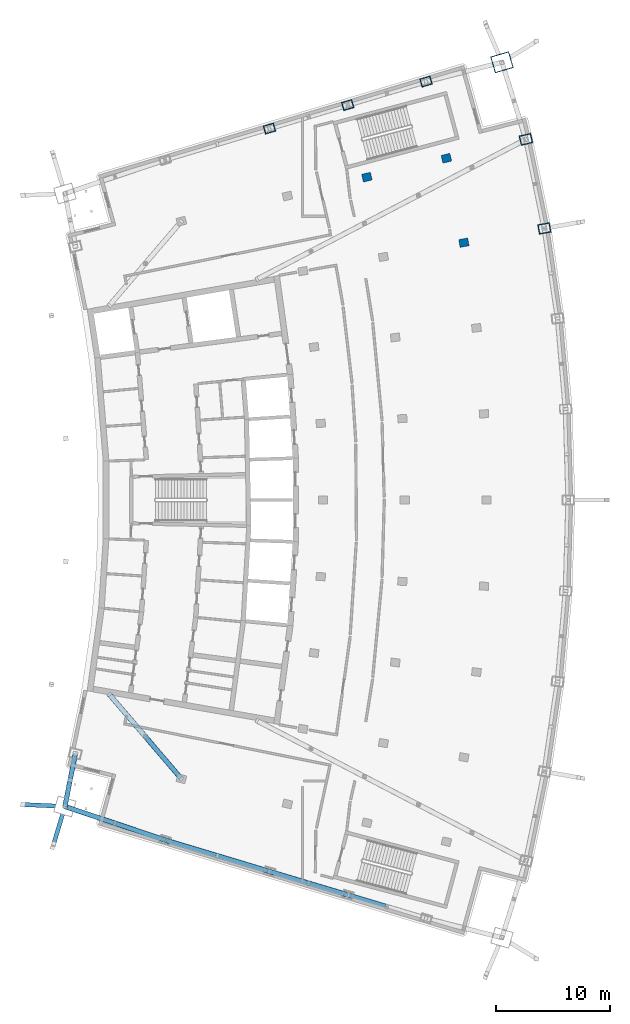
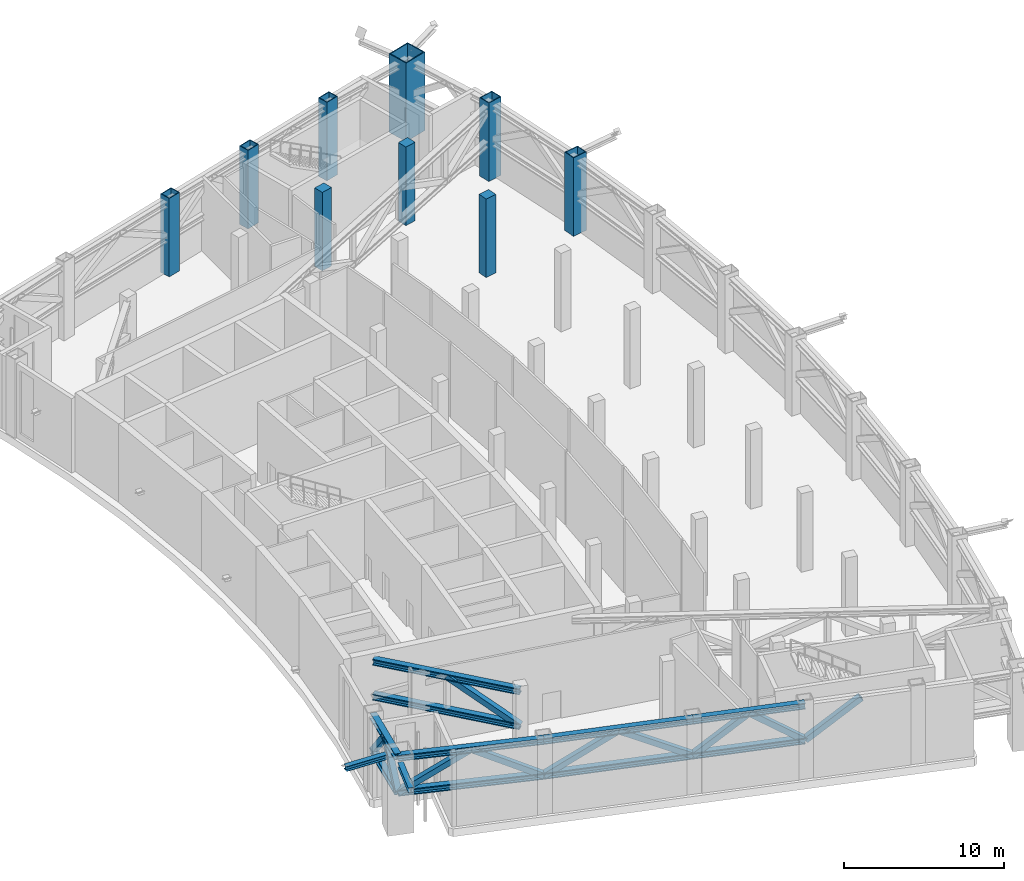
# One storey, part 6 of 23: 22 members, 9 columns.
"""IFC4 building model written with IfcOpenShell, lengths in metres."""

from ifc_helpers import new_model, si_unit, direction, frame, origin, origin_2d, place, context, subcontext, project, spatial, rectangle, hollow_rectangle, i_section, extrude, material, material_profile, profile_set, type_object, element, save


model = new_model("IFC4")

# Units and contexts
model_context = context("Model", 3, precision=1e-05, world=origin(), true_north=direction((0.0, 1.0)))
body_context = subcontext(model_context, "Body", "Model", "MODEL_VIEW")
ifc_project = project(units=[si_unit("LENGTHUNIT", "METRE"), si_unit("AREAUNIT", "SQUARE_METRE"), si_unit("VOLUMEUNIT", "CUBIC_METRE"), si_unit("PLANEANGLEUNIT", "RADIAN"), si_unit("MASSUNIT", "GRAM", prefix="KILO")], contexts=[model_context])

# Site, building, storey
site_placement = place(None, origin())
site = spatial("IfcSite", under=ifc_project, at=site_placement, CompositionType="ELEMENT")
building_placement = place(site_placement, origin())
building = spatial("IfcBuilding", under=site, at=building_placement, Name="Alderwake Tower", CompositionType="ELEMENT")
storey_placement = place(building_placement, frame((0.0, 0.0, 239.60009765625)))
storey = spatial("IfcBuildingStorey", under=building, at=storey_placement, Name="L59", CompositionType="ELEMENT", Elevation=239.60009765625)

# Columns
ifc_material_1 = material(Name="Steel ASTM A572 Grade 50 concrete filled C70/85", Category="concrete")
ifc_material_profile_1 = material_profile(ifc_material_1, hollow_rectangle(XDim=0.75, YDim=0.949951171875, WallThickness=0.054931640625, at=origin_2d()), Name="BOX 950X750X55")
ifc_profile_set_1 = profile_set([ifc_material_profile_1], Name="Steel ASTM A572 Grade 50 concrete filled C70/85")
column_type_1 = type_object("IfcColumnType", Name="End column Z4", PredefinedType="COLUMN", material=ifc_profile_set_1)
for number, where, z_axis, x_axis, name in (
    (1, (31.080322265625, 93.72314453125, 0.0), (0.0, 0.0, 1.0), (-0.282582549822, 0.959242984095, 0.0), "Column R12-C2"),
    (2, (37.976318359375, 95.79345703125, 0.0), (0.0, 0.0, 1.0), (-0.282873846689, 0.959157123134, 0.0), "Column R12-C3"),
    (3, (44.872314453125, 97.86376953125, 0.0), (0.0, 0.0, 1.0), (-0.283131639396, 0.959081057457, 0.0), "Column R12-C4"),
):
    element("IfcColumn", number, at=place(storey_placement, frame(where, z_axis=z_axis, x_axis=x_axis)), inside=storey, type_object=column_type_1, Name=name, PredefinedType="COLUMN", context=body_context, shape_type="SweptSolid", body=[
        extrude(hollow_rectangle(XDim=0.75, YDim=0.949951171875, WallThickness=0.054931640625, at=origin_2d()), origin(), (0.0, 0.0, 1.0), 6.0),
    ])
ifc_material_2 = material(Name="Concrete C70/85", Category="concrete")
ifc_material_profile_2 = material_profile(ifc_material_2, rectangle(XDim=0.699951171875, YDim=0.800048828125, at=origin_2d()), Name="RC 800X700")
ifc_profile_set_2 = profile_set([ifc_material_profile_2], Name="Concrete C70/85")
column_type_2 = type_object("IfcColumnType", Name="Interior column Z4", PredefinedType="COLUMN", material=ifc_profile_set_2)
for number, where, z_axis, x_axis, name in (
    (4, (48.21142578125, 83.6689453125, 0.0), (0.0, 0.0, 1.0), (-0.174108800747, 0.984726421654, 0.0), "Column R10-C4"),
    (5, (39.666748046875, 89.440185546875, 0.0), (0.0, 0.0, 1.0), (-0.231221547198, 0.972901123502, 0.0), "Column R11-C3"),
    (6, (46.671630859375, 91.10498046875, 0.0), (0.0, 0.0, 1.0), (-0.231221547198, 0.972901123502, 0.0), "Column R11-C4"),
):
    element("IfcColumn", number, at=place(storey_placement, frame(where, z_axis=z_axis, x_axis=x_axis)), inside=storey, type_object=column_type_2, Name=name, PredefinedType="COLUMN", context=body_context, shape_type="SweptSolid", body=[
        extrude(rectangle(XDim=0.699951171875, YDim=0.800048828125, at=origin_2d()), origin(), (0.0, 0.0, 1.0), 6.0),
    ])
ifc_material_3 = material(Name="Steel ASTM A572 Grade 50 concrete filled C70/85", Category="concrete")
ifc_material_profile_3 = material_profile(ifc_material_3, hollow_rectangle(XDim=1.5, YDim=1.699951171875, WallThickness=0.074951171875, at=origin_2d()), Name="BOX 1700X1500X75")
ifc_profile_set_3 = profile_set([ifc_material_profile_3], Name="Steel ASTM A572 Grade 50 concrete filled C70/85")
column_type_3 = type_object("IfcColumnType", Name="Mega column Z4", PredefinedType="COLUMN", material=ifc_profile_set_3)
column_placement = place(storey_placement, frame((51.565185546875, 99.56201171875, 0.0), z_axis=(0.0, 0.0, 1.0), x_axis=(-0.281269716931, 0.959628754435, 0.0)))
element("IfcColumn", 7, at=column_placement, inside=storey, type_object=column_type_3, Name="Column R12-C5", PredefinedType="COLUMN", context=body_context, shape_type="SweptSolid", body=[
    extrude(hollow_rectangle(XDim=1.5, YDim=1.699951171875, WallThickness=0.074951171875, at=origin_2d()), origin(), (0.0, 0.0, 1.0), 6.0),
])
ifc_material_4 = material(Name="Steel ASTM A572 Grade 50 concrete filled C70/85", Category="concrete")
ifc_material_profile_4 = material_profile(ifc_material_4, hollow_rectangle(XDim=0.85009765625, YDim=1.050048828125, WallThickness=0.054931640625, at=origin_2d()), Name="BOX 1050X850X55")
ifc_profile_set_4 = profile_set([ifc_material_profile_4], Name="Steel ASTM A572 Grade 50 concrete filled C70/85")
column_type_4 = type_object("IfcColumnType", Name="Perimeter column Z4", PredefinedType="COLUMN", material=ifc_profile_set_4)
for number, where, z_axis, x_axis, name in (
    (8, (55.301513671875, 84.922607421875, 0.0), (0.0, 0.0, 1.0), (-0.174108800747, 0.984726421654, 0.0), "Column R10-C5"),
    (9, (53.676513671875, 92.77001953125, 0.0), (0.0, 0.0, 1.0), (-0.231221547198, 0.972901123502, 0.0), "Column R11-C5"),
):
    element("IfcColumn", number, at=place(storey_placement, frame(where, z_axis=z_axis, x_axis=x_axis)), inside=storey, type_object=column_type_4, Name=name, PredefinedType="COLUMN", context=body_context, shape_type="SweptSolid", body=[
        extrude(hollow_rectangle(XDim=0.85009765625, YDim=1.050048828125, WallThickness=0.054931640625, at=origin_2d()), origin(), (0.0, 0.0, 1.0), 6.0),
    ])

# Members
ifc_material_5 = material(Name="Steel ASTM A992 Grade 50", Category="steel")
ifc_material_profile_5 = material_profile(ifc_material_5, i_section(OverallWidth=0.42138671875, OverallDepth=0.464599609375, WebThickness=0.044921875, FlangeThickness=0.072265625, at=origin_2d()), Name="W14X398")
ifc_profile_set_5 = profile_set([ifc_material_profile_5], Name="Steel ASTM A992 Grade 50")
member_type_1 = type_object("IfcMemberType", Name="Belt truss chord W14X398", PredefinedType="CHORD", material=ifc_profile_set_5)
for number, where, z_axis, x_axis, name in (
    (10, (13.06298828125, 34.00244140625, 5.447509765625), (0.193457327913, 0.981108690348, 0.0), (-0.981108690348, 0.193457327913, 0.0), "Belt truss chord BT59R02.T"),
    (11, (13.06298828125, 34.00244140625, 2.7822265625), (0.193457327913, 0.981108690348, 0.0), (-0.981108690348, 0.193457327913, 0.0), "Belt truss chord BT59R02.B"),
):
    element("IfcMember", number, at=place(storey_placement, frame(where, z_axis=z_axis, x_axis=x_axis)), inside=storey, type_object=member_type_1, Name=name, PredefinedType="CHORD", context=body_context, shape_type="SweptSolid", body=[
        extrude(i_section(OverallWidth=0.42138671875, OverallDepth=0.464599609375, WebThickness=0.044921875, FlangeThickness=0.072265625, at=origin_2d()), origin(), (0.0, 0.0, 1.0), 4.75146484375),
    ])
for number, where, z_axis, x_axis, name in (
    (12, (13.06298828125, 34.00244140625, 5.447509765625), (0.947906645709, -0.318548255403, 0.0), (0.318548255403, 0.947906645709, 0.0), "Belt truss chord BT59E020.T"),
    (13, (13.06298828125, 34.00244140625, 2.7822265625), (0.947906645709, -0.318548255403, 0.0), (0.318548255403, 0.947906645709, 0.0), "Belt truss chord BT59E020.B"),
):
    element("IfcMember", number, at=place(storey_placement, frame(where, z_axis=z_axis, x_axis=x_axis)), inside=storey, type_object=member_type_1, Name=name, PredefinedType="CHORD", context=body_context, shape_type="SweptSolid", body=[
        extrude(i_section(OverallWidth=0.42138671875, OverallDepth=0.464599609375, WebThickness=0.044921875, FlangeThickness=0.072265625, at=origin_2d()), origin(), (0.0, 0.0, 1.0), 9.307373046875),
    ])
for number, where, z_axis, x_axis, name in (
    (14, (21.885498046875, 31.03759765625, 5.447509765625), (0.957760467652, -0.287567186241, 0.0), (0.287567186241, 0.957760467652, 0.0), "Belt truss chord BT59E021.T"),
    (15, (21.885498046875, 31.03759765625, 2.7822265625), (0.957760467652, -0.287567186241, 0.0), (0.287567186241, 0.957760467652, 0.0), "Belt truss chord BT59E021.B"),
):
    element("IfcMember", number, at=place(storey_placement, frame(where, z_axis=z_axis, x_axis=x_axis)), inside=storey, type_object=member_type_1, Name=name, PredefinedType="CHORD", context=body_context, shape_type="SweptSolid", body=[
        extrude(i_section(OverallWidth=0.42138671875, OverallDepth=0.464599609375, WebThickness=0.044921875, FlangeThickness=0.072265625, at=origin_2d()), origin(), (0.0, 0.0, 1.0), 9.600341796875),
    ])
for number, where, z_axis, x_axis, name in (
    (16, (31.080322265625, 28.27685546875, 5.447509765625), (0.957768404261, -0.287540751545, 0.0), (0.287540751545, 0.957768404261, 0.0), "Belt truss chord BT59E022.T"),
    (17, (31.080322265625, 28.27685546875, 2.7822265625), (0.957768404261, -0.287540751545, 0.0), (0.287540751545, 0.957768404261, 0.0), "Belt truss chord BT59E022.B"),
):
    element("IfcMember", number, at=place(storey_placement, frame(where, z_axis=z_axis, x_axis=x_axis)), inside=storey, type_object=member_type_1, Name=name, PredefinedType="CHORD", context=body_context, shape_type="SweptSolid", body=[
        extrude(i_section(OverallWidth=0.42138671875, OverallDepth=0.464599609375, WebThickness=0.044921875, FlangeThickness=0.072265625, at=origin_2d()), origin(), (0.0, 0.0, 1.0), 7.199951171875),
    ])
ifc_material_6 = material(Name="Steel ASTM A500 Grade C", Category="steel")
ifc_material_profile_6 = material_profile(ifc_material_6, hollow_rectangle(XDim=0.406494140625, YDim=0.406494140625, WallThickness=0.014892578125, at=origin_2d()), Name="HSS16X16X5/8")
ifc_profile_set_6 = profile_set([ifc_material_profile_6], Name="Steel ASTM A500 Grade C")
member_type_2 = type_object("IfcMemberType", Name="Belt truss diagonal HSS16X16X5/8", PredefinedType="BRACE", material=ifc_profile_set_6)
for number, where, z_axis, x_axis, name in (
    (18, (13.06298828125, 34.00244140625, 2.7822265625), (0.128757806923, 0.652815073127, 0.746494412206), (-0.981098936551, 0.193506787213, 0.0), "Belt truss diagonal BT59R02.D1"),
    (19, (13.982177734375, 38.6640625, 2.7822265625), (-0.128690560583, -0.652820819283, 0.746500982938), (0.981118441846, -0.193407867137, 0.0), "Belt truss diagonal BT59R02.D2"),
):
    element("IfcMember", number, at=place(storey_placement, frame(where, z_axis=z_axis, x_axis=x_axis)), inside=storey, type_object=member_type_2, Name=name, PredefinedType="BRACE", context=body_context, shape_type="SweptSolid", body=[
        extrude(hollow_rectangle(XDim=0.406494140625, YDim=0.406494140625, WallThickness=0.014892578125, at=origin_2d()), origin(), (0.0, 0.0, 1.0), 3.5703125),
    ])
member_1_placement = place(storey_placement, frame((13.06298828125, 34.00244140625, 2.7822265625), z_axis=(0.822560750296, -0.276417559123, 0.496978012673), x_axis=(0.318540335058, 0.94790930734, 0.0)))
element("IfcMember", 20, at=member_1_placement, inside=storey, type_object=member_type_2, Name="Belt truss diagonal BT59E020.D1", PredefinedType="BRACE", context=body_context, shape_type="SweptSolid", body=[
    extrude(hollow_rectangle(XDim=0.406494140625, YDim=0.406494140625, WallThickness=0.014892578125, at=origin_2d()), origin(), (0.0, 0.0, 1.0), 5.363037109375),
])
member_2_placement = place(storey_placement, frame((21.885498046875, 31.03759765625, 2.7822265625), z_axis=(-0.822546027512, 0.276427910065, 0.496996622888), x_axis=(-0.318556176119, -0.94790398388, 0.0)))
element("IfcMember", 21, at=member_2_placement, inside=storey, type_object=member_type_2, Name="Belt truss diagonal BT59E020.D2", PredefinedType="BRACE", context=body_context, shape_type="SweptSolid", body=[
    extrude(hollow_rectangle(XDim=0.406494140625, YDim=0.406494140625, WallThickness=0.014892578125, at=origin_2d()), origin(), (0.0, 0.0, 1.0), 5.36279296875),
])
for number, where, z_axis, x_axis, name in (
    (22, (21.885498046875, 31.03759765625, 2.7822265625), (0.837342663624, -0.25141179014, 0.485437303318), (0.287567186241, 0.957760467652, 0.0), "Belt truss diagonal BT59E021.D1"),
    (23, (31.080322265625, 28.27685546875, 2.7822265625), (-0.837342663624, 0.25141179014, 0.485437303318), (-0.287567186241, -0.957760467652, 0.0), "Belt truss diagonal BT59E021.D2"),
):
    element("IfcMember", number, at=place(storey_placement, frame(where, z_axis=z_axis, x_axis=x_axis)), inside=storey, type_object=member_type_2, Name=name, PredefinedType="BRACE", context=body_context, shape_type="SweptSolid", body=[
        extrude(hollow_rectangle(XDim=0.406494140625, YDim=0.406494140625, WallThickness=0.014892578125, at=origin_2d()), origin(), (0.0, 0.0, 1.0), 5.490478515625),
    ])
for number, where, z_axis, x_axis, name in (
    (24, (31.080322265625, 28.27685546875, 2.7822265625), (0.769765668838, -0.231098664297, 0.595024556164), (0.287540751545, 0.957768404261, 0.0), "Belt truss diagonal BT59E022.D1"),
    (25, (37.976318359375, 26.20654296875, 2.7822265625), (-0.769765668838, 0.231098664297, 0.595024556164), (-0.287540751545, -0.957768404261, 0.0), "Belt truss diagonal BT59E022.D2"),
    (26, (37.976318359375, 26.20654296875, 2.7822265625), (0.769765668838, -0.231098664297, 0.595024556164), (0.287540751545, 0.957768404261, 0.0), "Belt truss diagonal BT59E023.D1"),
):
    element("IfcMember", number, at=place(storey_placement, frame(where, z_axis=z_axis, x_axis=x_axis)), inside=storey, type_object=member_type_2, Name=name, PredefinedType="BRACE", context=body_context, shape_type="SweptSolid", body=[
        extrude(hollow_rectangle(XDim=0.406494140625, YDim=0.406494140625, WallThickness=0.014892578125, at=origin_2d()), origin(), (0.0, 0.0, 1.0), 4.479248046875),
    ])
ifc_material_7 = material(Name="Steel ASTM A992 Grade 50", Category="steel")
ifc_material_profile_7 = material_profile(ifc_material_7, i_section(OverallWidth=0.3740234375, OverallDepth=0.372314453125, WebThickness=0.016357421875, FlangeThickness=0.026123046875, at=origin_2d()), Name="W14X132")
ifc_profile_set_7 = profile_set([ifc_material_profile_7], Name="Steel ASTM A992 Grade 50")
member_type_3 = type_object("IfcMemberType", Name="Brace node stub W14X132", PredefinedType="MEMBER", material=ifc_profile_set_7)
member_3_placement = place(storey_placement, frame((12.239501953125, 34.0400390625, 5.793701171875), z_axis=(-0.998957685962, 0.045645828479, 0.0), x_axis=(-0.045645828479, -0.998957685962, 0.0)))
element("IfcMember", 27, at=member_3_placement, inside=storey, type_object=member_type_3, Name="Brace node stub BS.RR02-C0.2456", PredefinedType="MEMBER", context=body_context, shape_type="SweptSolid", body=[
    extrude(i_section(OverallWidth=0.3740234375, OverallDepth=0.372314453125, WebThickness=0.016357421875, FlangeThickness=0.026123046875, at=origin_2d()), origin(), (0.0, 0.0, 1.0), 2.8828125),
])
member_4_placement = place(storey_placement, frame((12.862548828125, 33.331787109375, 5.34375), z_axis=(-0.286452725549, -0.95809437741, 0.0), x_axis=(0.95809437741, -0.286452725549, 0.0)))
element("IfcMember", 28, at=member_4_placement, inside=storey, type_object=member_type_3, Name="Brace node stub BS.SR02-C0.2456", PredefinedType="MEMBER", context=body_context, shape_type="SweptSolid", body=[
    extrude(i_section(OverallWidth=0.3740234375, OverallDepth=0.372314453125, WebThickness=0.016357421875, FlangeThickness=0.026123046875, at=origin_2d()), origin(), (0.0, 0.0, 1.0), 2.90283203125),
])
ifc_material_8 = material(Name="Steel ASTM A992 Grade 50", Category="steel")
ifc_material_profile_8 = material_profile(ifc_material_8, i_section(OverallWidth=0.42138671875, OverallDepth=0.464599609375, WebThickness=0.044921875, FlangeThickness=0.072265625, at=origin_2d()), Name="W14X398")
ifc_profile_set_8 = profile_set([ifc_material_profile_8], Name="Steel ASTM A992 Grade 50")
member_type_4 = type_object("IfcMemberType", Name="Outrigger truss chord W14X398", PredefinedType="CHORD", material=ifc_profile_set_8)
for number, where, z_axis, x_axis, name in (
    (29, (16.99560546875, 43.850341796875, 5.447509765625), (0.649500341589, -0.760361299828, 0.0), (0.760361299828, 0.649500341589, 0.0), "Outrigger truss chord OR59SR.T"),
    (30, (16.99560546875, 43.850341796875, 2.7822265625), (0.649500341589, -0.760361299828, 0.0), (0.760361299828, 0.649500341589, 0.0), "Outrigger truss chord OR59SR.B"),
):
    element("IfcMember", number, at=place(storey_placement, frame(where, z_axis=z_axis, x_axis=x_axis)), inside=storey, type_object=member_type_4, Name=name, PredefinedType="CHORD", context=body_context, shape_type="SweptSolid", body=[
        extrude(i_section(OverallWidth=0.42138671875, OverallDepth=0.464599609375, WebThickness=0.044921875, FlangeThickness=0.072265625, at=origin_2d()), origin(), (0.0, 0.0, 1.0), 9.740478515625),
    ])
ifc_material_9 = material(Name="Steel ASTM A500 Grade C", Category="steel")
ifc_material_profile_9 = material_profile(ifc_material_9, hollow_rectangle(XDim=0.406494140625, YDim=0.406494140625, WallThickness=0.014892578125, at=origin_2d()), Name="HSS16X16X5/8")
ifc_profile_set_9 = profile_set([ifc_material_profile_9], Name="Steel ASTM A500 Grade C")
member_type_5 = type_object("IfcMemberType", Name="Outrigger truss diagonal HSS16X16X5/8", PredefinedType="BRACE", material=ifc_profile_set_9)
member_5_placement = place(storey_placement, frame((23.322021484375, 36.444091796875, 2.7822265625), z_axis=(-0.569774945819, 0.667002113003, 0.480067383152), x_axis=(-0.760348921589, -0.649514832346, 0.0)))
element("IfcMember", 31, at=member_5_placement, inside=storey, type_object=member_type_5, Name="Outrigger truss diagonal OR59SR.D2", PredefinedType="BRACE", context=body_context, shape_type="SweptSolid", body=[
    extrude(hollow_rectangle(XDim=0.406494140625, YDim=0.406494140625, WallThickness=0.014892578125, at=origin_2d()), origin(), (0.0, 0.0, 1.0), 5.552001953125),
])

save(model, "model.ifc")
